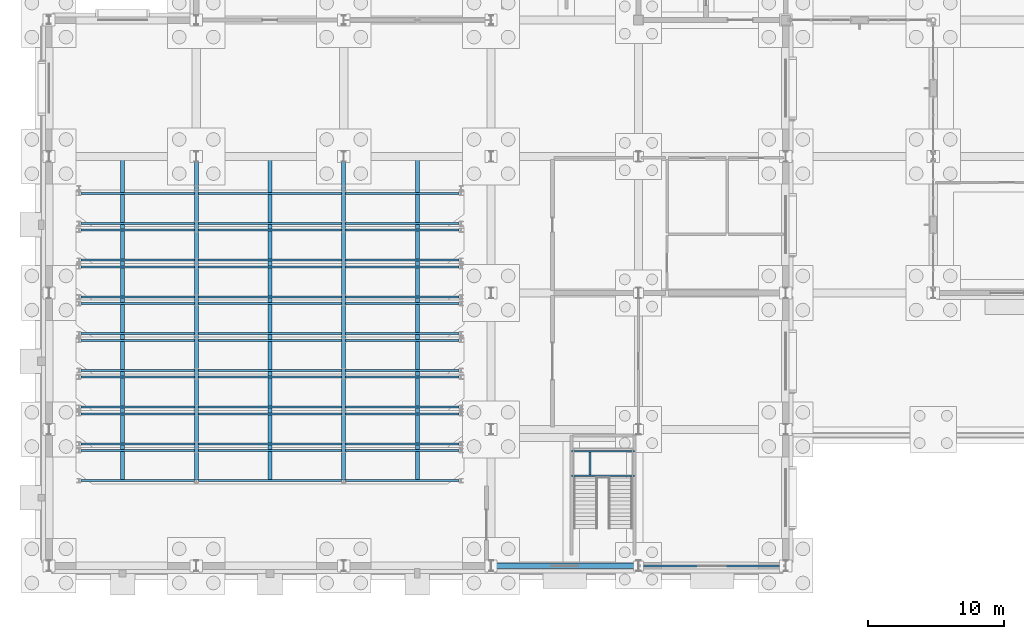
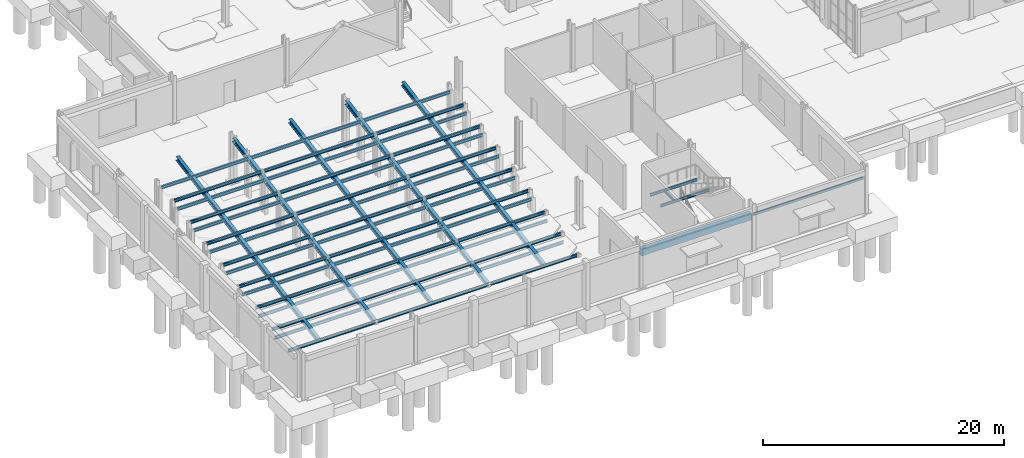
# One storey, part 24 of 73: 58 beams.
"""IFC4 building model written with IfcOpenShell, lengths in metres."""

from ifc_helpers import new_model, si_unit, direction, frame, origin, origin_2d, place, context, subcontext, project, spatial, rectangle, hollow_rectangle, i_section, extrude, material, material_profile, profile_set, type_object, element, save


model = new_model("IFC4")

# Units and contexts
model_context = context("Model", 3, precision=1e-05, world=origin(), true_north=direction((0.0, 1.0)))
body_context = subcontext(model_context, "Body", "Model", "MODEL_VIEW")
ifc_project = project(units=[si_unit("LENGTHUNIT", "METRE"), si_unit("AREAUNIT", "SQUARE_METRE"), si_unit("VOLUMEUNIT", "CUBIC_METRE"), si_unit("PLANEANGLEUNIT", "RADIAN"), si_unit("MASSUNIT", "GRAM", prefix="KILO")], contexts=[model_context])

# Site, building, storey
site_placement = place(None, origin())
site = spatial("IfcSite", under=ifc_project, at=site_placement, CompositionType="ELEMENT")
building_placement = place(site_placement, origin())
building = spatial("IfcBuilding", under=site, at=building_placement, Name="Tasgan Crest Museum", CompositionType="ELEMENT")
storey_placement = place(building_placement, origin())
storey = spatial("IfcBuildingStorey", under=building, at=storey_placement, Name="L00", CompositionType="ELEMENT", Elevation=0.0)

# Beams
ifc_material_1 = material(Name="Steel S355J2", Category="steel")
ifc_material_profile_1 = material_profile(ifc_material_1, i_section(OverallWidth=0.14990234375, OverallDepth=0.300048828125, WebThickness=0.007080078125, FlangeThickness=0.0107421875, FilletRadius=0.014892578125, at=origin_2d()), Name="IPE 300")
ifc_profile_set_1 = profile_set([ifc_material_profile_1], Name="Steel S355J2")
beam_type_1 = type_object("IfcBeamType", Name="BM-J-IPE300", PredefinedType="JOIST", material=ifc_profile_set_1)
beam_1_placement = place(storey_placement, frame((2.35009765625, 6.25, 0.169921875), z_axis=(1.0, 0.0, 0.0), x_axis=(0.0, 1.0, 0.0)))
element("IfcBeam", 1, at=beam_1_placement, inside=storey, type_object=beam_type_1, Name="Auditorium tier bearer T1 F 2.2-10.8", PredefinedType="JOIST", context=body_context, shape_type="SweptSolid", body=[
    extrude(i_section(OverallWidth=0.14990234375, OverallDepth=0.300048828125, WebThickness=0.007080078125, FlangeThickness=0.0107421875, FilletRadius=0.014892578125, at=origin_2d()), origin(), (0.0, 0.0, 1.0), 8.2998046875),
])
beam_2_placement = place(storey_placement, frame((10.949951171875, 6.25, 0.169921875), z_axis=(1.0, 0.0, 0.0), x_axis=(0.0, 1.0, 0.0)))
element("IfcBeam", 2, at=beam_2_placement, inside=storey, type_object=beam_type_1, Name="Auditorium tier bearer T1 F 10.8-21.6", PredefinedType="JOIST", context=body_context, shape_type="SweptSolid", body=[
    extrude(i_section(OverallWidth=0.14990234375, OverallDepth=0.300048828125, WebThickness=0.007080078125, FlangeThickness=0.0107421875, FilletRadius=0.014892578125, at=origin_2d()), origin(), (0.0, 0.0, 1.0), 10.5),
])
beam_3_placement = place(storey_placement, frame((21.75, 6.25, 0.169921875), z_axis=(1.0, 0.0, 0.0), x_axis=(0.0, 1.0, 0.0)))
element("IfcBeam", 3, at=beam_3_placement, inside=storey, type_object=beam_type_1, Name="Auditorium tier bearer T1 F 21.6-30.2", PredefinedType="JOIST", context=body_context, shape_type="SweptSolid", body=[
    extrude(i_section(OverallWidth=0.14990234375, OverallDepth=0.300048828125, WebThickness=0.007080078125, FlangeThickness=0.0107421875, FilletRadius=0.014892578125, at=origin_2d()), origin(), (0.0, 0.0, 1.0), 8.300048828125),
])
beam_4_placement = place(storey_placement, frame((2.35009765625, 8.44384765625, 0.169921875), z_axis=(1.0, 0.0, 0.0), x_axis=(0.0, 1.0, 0.0)))
element("IfcBeam", 4, at=beam_4_placement, inside=storey, type_object=beam_type_1, Name="Auditorium tier bearer T1 B 2.2-10.8", PredefinedType="JOIST", context=body_context, shape_type="SweptSolid", body=[
    extrude(i_section(OverallWidth=0.14990234375, OverallDepth=0.300048828125, WebThickness=0.007080078125, FlangeThickness=0.0107421875, FilletRadius=0.014892578125, at=origin_2d()), origin(), (0.0, 0.0, 1.0), 8.2998046875),
])
beam_5_placement = place(storey_placement, frame((10.949951171875, 8.44384765625, 0.169921875), z_axis=(1.0, 0.0, 0.0), x_axis=(0.0, 1.0, 0.0)))
element("IfcBeam", 5, at=beam_5_placement, inside=storey, type_object=beam_type_1, Name="Auditorium tier bearer T1 B 10.8-21.6", PredefinedType="JOIST", context=body_context, shape_type="SweptSolid", body=[
    extrude(i_section(OverallWidth=0.14990234375, OverallDepth=0.300048828125, WebThickness=0.007080078125, FlangeThickness=0.0107421875, FilletRadius=0.014892578125, at=origin_2d()), origin(), (0.0, 0.0, 1.0), 10.5),
])
beam_6_placement = place(storey_placement, frame((21.75, 8.44384765625, 0.169921875), z_axis=(1.0, 0.0, 0.0), x_axis=(0.0, 1.0, 0.0)))
element("IfcBeam", 6, at=beam_6_placement, inside=storey, type_object=beam_type_1, Name="Auditorium tier bearer T1 B 21.6-30.2", PredefinedType="JOIST", context=body_context, shape_type="SweptSolid", body=[
    extrude(i_section(OverallWidth=0.14990234375, OverallDepth=0.300048828125, WebThickness=0.007080078125, FlangeThickness=0.0107421875, FilletRadius=0.014892578125, at=origin_2d()), origin(), (0.0, 0.0, 1.0), 8.300048828125),
])
beam_7_placement = place(storey_placement, frame((2.35009765625, 8.94384765625, 0.7099609375), z_axis=(1.0, 0.0, 0.0), x_axis=(0.0, 1.0, 0.0)))
element("IfcBeam", 7, at=beam_7_placement, inside=storey, type_object=beam_type_1, Name="Auditorium tier bearer T2 F 2.2-10.8", PredefinedType="JOIST", context=body_context, shape_type="SweptSolid", body=[
    extrude(i_section(OverallWidth=0.14990234375, OverallDepth=0.300048828125, WebThickness=0.007080078125, FlangeThickness=0.0107421875, FilletRadius=0.014892578125, at=origin_2d()), origin(), (0.0, 0.0, 1.0), 8.2998046875),
])
beam_8_placement = place(storey_placement, frame((10.949951171875, 8.94384765625, 0.7099609375), z_axis=(1.0, 0.0, 0.0), x_axis=(0.0, 1.0, 0.0)))
element("IfcBeam", 8, at=beam_8_placement, inside=storey, type_object=beam_type_1, Name="Auditorium tier bearer T2 F 10.8-21.6", PredefinedType="JOIST", context=body_context, shape_type="SweptSolid", body=[
    extrude(i_section(OverallWidth=0.14990234375, OverallDepth=0.300048828125, WebThickness=0.007080078125, FlangeThickness=0.0107421875, FilletRadius=0.014892578125, at=origin_2d()), origin(), (0.0, 0.0, 1.0), 10.5),
])
beam_9_placement = place(storey_placement, frame((21.75, 8.94384765625, 0.7099609375), z_axis=(1.0, 0.0, 0.0), x_axis=(0.0, 1.0, 0.0)))
element("IfcBeam", 9, at=beam_9_placement, inside=storey, type_object=beam_type_1, Name="Auditorium tier bearer T2 F 21.6-30.2", PredefinedType="JOIST", context=body_context, shape_type="SweptSolid", body=[
    extrude(i_section(OverallWidth=0.14990234375, OverallDepth=0.300048828125, WebThickness=0.007080078125, FlangeThickness=0.0107421875, FilletRadius=0.014892578125, at=origin_2d()), origin(), (0.0, 0.0, 1.0), 8.300048828125),
])
beam_10_placement = place(storey_placement, frame((2.35009765625, 11.137451171875, 0.7099609375), z_axis=(1.0, 0.0, 0.0), x_axis=(0.0, 1.0, 0.0)))
element("IfcBeam", 10, at=beam_10_placement, inside=storey, type_object=beam_type_1, Name="Auditorium tier bearer T2 B 2.2-10.8", PredefinedType="JOIST", context=body_context, shape_type="SweptSolid", body=[
    extrude(i_section(OverallWidth=0.14990234375, OverallDepth=0.300048828125, WebThickness=0.007080078125, FlangeThickness=0.0107421875, FilletRadius=0.014892578125, at=origin_2d()), origin(), (0.0, 0.0, 1.0), 8.2998046875),
])
beam_11_placement = place(storey_placement, frame((10.949951171875, 11.137451171875, 0.7099609375), z_axis=(1.0, 0.0, 0.0), x_axis=(0.0, 1.0, 0.0)))
element("IfcBeam", 11, at=beam_11_placement, inside=storey, type_object=beam_type_1, Name="Auditorium tier bearer T2 B 10.8-21.6", PredefinedType="JOIST", context=body_context, shape_type="SweptSolid", body=[
    extrude(i_section(OverallWidth=0.14990234375, OverallDepth=0.300048828125, WebThickness=0.007080078125, FlangeThickness=0.0107421875, FilletRadius=0.014892578125, at=origin_2d()), origin(), (0.0, 0.0, 1.0), 10.5),
])
beam_12_placement = place(storey_placement, frame((21.75, 11.137451171875, 0.7099609375), z_axis=(1.0, 0.0, 0.0), x_axis=(0.0, 1.0, 0.0)))
element("IfcBeam", 12, at=beam_12_placement, inside=storey, type_object=beam_type_1, Name="Auditorium tier bearer T2 B 21.6-30.2", PredefinedType="JOIST", context=body_context, shape_type="SweptSolid", body=[
    extrude(i_section(OverallWidth=0.14990234375, OverallDepth=0.300048828125, WebThickness=0.007080078125, FlangeThickness=0.0107421875, FilletRadius=0.014892578125, at=origin_2d()), origin(), (0.0, 0.0, 1.0), 8.300048828125),
])
beam_13_placement = place(storey_placement, frame((2.35009765625, 11.637451171875, 1.25), z_axis=(1.0, 0.0, 0.0), x_axis=(0.0, 1.0, 0.0)))
element("IfcBeam", 13, at=beam_13_placement, inside=storey, type_object=beam_type_1, Name="Auditorium tier bearer T3 F 2.2-10.8", PredefinedType="JOIST", context=body_context, shape_type="SweptSolid", body=[
    extrude(i_section(OverallWidth=0.14990234375, OverallDepth=0.300048828125, WebThickness=0.007080078125, FlangeThickness=0.0107421875, FilletRadius=0.014892578125, at=origin_2d()), origin(), (0.0, 0.0, 1.0), 8.2998046875),
])
beam_14_placement = place(storey_placement, frame((10.949951171875, 11.637451171875, 1.25), z_axis=(1.0, 0.0, 0.0), x_axis=(0.0, 1.0, 0.0)))
element("IfcBeam", 14, at=beam_14_placement, inside=storey, type_object=beam_type_1, Name="Auditorium tier bearer T3 F 10.8-21.6", PredefinedType="JOIST", context=body_context, shape_type="SweptSolid", body=[
    extrude(i_section(OverallWidth=0.14990234375, OverallDepth=0.300048828125, WebThickness=0.007080078125, FlangeThickness=0.0107421875, FilletRadius=0.014892578125, at=origin_2d()), origin(), (0.0, 0.0, 1.0), 10.5),
])
beam_15_placement = place(storey_placement, frame((21.75, 11.637451171875, 1.25), z_axis=(1.0, 0.0, 0.0), x_axis=(0.0, 1.0, 0.0)))
element("IfcBeam", 15, at=beam_15_placement, inside=storey, type_object=beam_type_1, Name="Auditorium tier bearer T3 F 21.6-30.2", PredefinedType="JOIST", context=body_context, shape_type="SweptSolid", body=[
    extrude(i_section(OverallWidth=0.14990234375, OverallDepth=0.300048828125, WebThickness=0.007080078125, FlangeThickness=0.0107421875, FilletRadius=0.014892578125, at=origin_2d()), origin(), (0.0, 0.0, 1.0), 8.300048828125),
])
beam_16_placement = place(storey_placement, frame((2.35009765625, 13.831298828125, 1.25), z_axis=(1.0, 0.0, 0.0), x_axis=(0.0, 1.0, 0.0)))
element("IfcBeam", 16, at=beam_16_placement, inside=storey, type_object=beam_type_1, Name="Auditorium tier bearer T3 B 2.2-10.8", PredefinedType="JOIST", context=body_context, shape_type="SweptSolid", body=[
    extrude(i_section(OverallWidth=0.14990234375, OverallDepth=0.300048828125, WebThickness=0.007080078125, FlangeThickness=0.0107421875, FilletRadius=0.014892578125, at=origin_2d()), origin(), (0.0, 0.0, 1.0), 8.2998046875),
])
beam_17_placement = place(storey_placement, frame((10.949951171875, 13.831298828125, 1.25), z_axis=(1.0, 0.0, 0.0), x_axis=(0.0, 1.0, 0.0)))
element("IfcBeam", 17, at=beam_17_placement, inside=storey, type_object=beam_type_1, Name="Auditorium tier bearer T3 B 10.8-21.6", PredefinedType="JOIST", context=body_context, shape_type="SweptSolid", body=[
    extrude(i_section(OverallWidth=0.14990234375, OverallDepth=0.300048828125, WebThickness=0.007080078125, FlangeThickness=0.0107421875, FilletRadius=0.014892578125, at=origin_2d()), origin(), (0.0, 0.0, 1.0), 10.5),
])
beam_18_placement = place(storey_placement, frame((21.75, 13.831298828125, 1.25), z_axis=(1.0, 0.0, 0.0), x_axis=(0.0, 1.0, 0.0)))
element("IfcBeam", 18, at=beam_18_placement, inside=storey, type_object=beam_type_1, Name="Auditorium tier bearer T3 B 21.6-30.2", PredefinedType="JOIST", context=body_context, shape_type="SweptSolid", body=[
    extrude(i_section(OverallWidth=0.14990234375, OverallDepth=0.300048828125, WebThickness=0.007080078125, FlangeThickness=0.0107421875, FilletRadius=0.014892578125, at=origin_2d()), origin(), (0.0, 0.0, 1.0), 8.300048828125),
])
beam_19_placement = place(storey_placement, frame((2.35009765625, 14.331298828125, 1.7900390625), z_axis=(1.0, 0.0, 0.0), x_axis=(0.0, 1.0, 0.0)))
element("IfcBeam", 19, at=beam_19_placement, inside=storey, type_object=beam_type_1, Name="Auditorium tier bearer T4 F 2.2-10.8", PredefinedType="JOIST", context=body_context, shape_type="SweptSolid", body=[
    extrude(i_section(OverallWidth=0.14990234375, OverallDepth=0.300048828125, WebThickness=0.007080078125, FlangeThickness=0.0107421875, FilletRadius=0.014892578125, at=origin_2d()), origin(), (0.0, 0.0, 1.0), 8.2998046875),
])
beam_20_placement = place(storey_placement, frame((10.949951171875, 14.331298828125, 1.7900390625), z_axis=(1.0, 0.0, 0.0), x_axis=(0.0, 1.0, 0.0)))
element("IfcBeam", 20, at=beam_20_placement, inside=storey, type_object=beam_type_1, Name="Auditorium tier bearer T4 F 10.8-21.6", PredefinedType="JOIST", context=body_context, shape_type="SweptSolid", body=[
    extrude(i_section(OverallWidth=0.14990234375, OverallDepth=0.300048828125, WebThickness=0.007080078125, FlangeThickness=0.0107421875, FilletRadius=0.014892578125, at=origin_2d()), origin(), (0.0, 0.0, 1.0), 10.5),
])
beam_21_placement = place(storey_placement, frame((21.75, 14.331298828125, 1.7900390625), z_axis=(1.0, 0.0, 0.0), x_axis=(0.0, 1.0, 0.0)))
element("IfcBeam", 21, at=beam_21_placement, inside=storey, type_object=beam_type_1, Name="Auditorium tier bearer T4 F 21.6-30.2", PredefinedType="JOIST", context=body_context, shape_type="SweptSolid", body=[
    extrude(i_section(OverallWidth=0.14990234375, OverallDepth=0.300048828125, WebThickness=0.007080078125, FlangeThickness=0.0107421875, FilletRadius=0.014892578125, at=origin_2d()), origin(), (0.0, 0.0, 1.0), 8.300048828125),
])
beam_22_placement = place(storey_placement, frame((2.35009765625, 16.52490234375, 1.7900390625), z_axis=(1.0, 0.0, 0.0), x_axis=(0.0, 1.0, 0.0)))
element("IfcBeam", 22, at=beam_22_placement, inside=storey, type_object=beam_type_1, Name="Auditorium tier bearer T4 B 2.2-10.8", PredefinedType="JOIST", context=body_context, shape_type="SweptSolid", body=[
    extrude(i_section(OverallWidth=0.14990234375, OverallDepth=0.300048828125, WebThickness=0.007080078125, FlangeThickness=0.0107421875, FilletRadius=0.014892578125, at=origin_2d()), origin(), (0.0, 0.0, 1.0), 8.2998046875),
])
beam_23_placement = place(storey_placement, frame((10.949951171875, 16.52490234375, 1.7900390625), z_axis=(1.0, 0.0, 0.0), x_axis=(0.0, 1.0, 0.0)))
element("IfcBeam", 23, at=beam_23_placement, inside=storey, type_object=beam_type_1, Name="Auditorium tier bearer T4 B 10.8-21.6", PredefinedType="JOIST", context=body_context, shape_type="SweptSolid", body=[
    extrude(i_section(OverallWidth=0.14990234375, OverallDepth=0.300048828125, WebThickness=0.007080078125, FlangeThickness=0.0107421875, FilletRadius=0.014892578125, at=origin_2d()), origin(), (0.0, 0.0, 1.0), 10.5),
])
beam_24_placement = place(storey_placement, frame((21.75, 16.52490234375, 1.7900390625), z_axis=(1.0, 0.0, 0.0), x_axis=(0.0, 1.0, 0.0)))
element("IfcBeam", 24, at=beam_24_placement, inside=storey, type_object=beam_type_1, Name="Auditorium tier bearer T4 B 21.6-30.2", PredefinedType="JOIST", context=body_context, shape_type="SweptSolid", body=[
    extrude(i_section(OverallWidth=0.14990234375, OverallDepth=0.300048828125, WebThickness=0.007080078125, FlangeThickness=0.0107421875, FilletRadius=0.014892578125, at=origin_2d()), origin(), (0.0, 0.0, 1.0), 8.300048828125),
])
beam_25_placement = place(storey_placement, frame((2.35009765625, 17.02490234375, 2.330078125), z_axis=(1.0, 0.0, 0.0), x_axis=(0.0, 1.0, 0.0)))
element("IfcBeam", 25, at=beam_25_placement, inside=storey, type_object=beam_type_1, Name="Auditorium tier bearer T5 F 2.2-10.8", PredefinedType="JOIST", context=body_context, shape_type="SweptSolid", body=[
    extrude(i_section(OverallWidth=0.14990234375, OverallDepth=0.300048828125, WebThickness=0.007080078125, FlangeThickness=0.0107421875, FilletRadius=0.014892578125, at=origin_2d()), origin(), (0.0, 0.0, 1.0), 8.2998046875),
])
beam_26_placement = place(storey_placement, frame((10.949951171875, 17.02490234375, 2.330078125), z_axis=(1.0, 0.0, 0.0), x_axis=(0.0, 1.0, 0.0)))
element("IfcBeam", 26, at=beam_26_placement, inside=storey, type_object=beam_type_1, Name="Auditorium tier bearer T5 F 10.8-21.6", PredefinedType="JOIST", context=body_context, shape_type="SweptSolid", body=[
    extrude(i_section(OverallWidth=0.14990234375, OverallDepth=0.300048828125, WebThickness=0.007080078125, FlangeThickness=0.0107421875, FilletRadius=0.014892578125, at=origin_2d()), origin(), (0.0, 0.0, 1.0), 10.5),
])
beam_27_placement = place(storey_placement, frame((21.75, 17.02490234375, 2.330078125), z_axis=(1.0, 0.0, 0.0), x_axis=(0.0, 1.0, 0.0)))
element("IfcBeam", 27, at=beam_27_placement, inside=storey, type_object=beam_type_1, Name="Auditorium tier bearer T5 F 21.6-30.2", PredefinedType="JOIST", context=body_context, shape_type="SweptSolid", body=[
    extrude(i_section(OverallWidth=0.14990234375, OverallDepth=0.300048828125, WebThickness=0.007080078125, FlangeThickness=0.0107421875, FilletRadius=0.014892578125, at=origin_2d()), origin(), (0.0, 0.0, 1.0), 8.300048828125),
])
beam_28_placement = place(storey_placement, frame((2.35009765625, 19.21875, 2.330078125), z_axis=(1.0, 0.0, 0.0), x_axis=(0.0, 1.0, 0.0)))
element("IfcBeam", 28, at=beam_28_placement, inside=storey, type_object=beam_type_1, Name="Auditorium tier bearer T5 B 2.2-10.8", PredefinedType="JOIST", context=body_context, shape_type="SweptSolid", body=[
    extrude(i_section(OverallWidth=0.14990234375, OverallDepth=0.300048828125, WebThickness=0.007080078125, FlangeThickness=0.0107421875, FilletRadius=0.014892578125, at=origin_2d()), origin(), (0.0, 0.0, 1.0), 8.2998046875),
])
beam_29_placement = place(storey_placement, frame((10.949951171875, 19.21875, 2.330078125), z_axis=(1.0, 0.0, 0.0), x_axis=(0.0, 1.0, 0.0)))
element("IfcBeam", 29, at=beam_29_placement, inside=storey, type_object=beam_type_1, Name="Auditorium tier bearer T5 B 10.8-21.6", PredefinedType="JOIST", context=body_context, shape_type="SweptSolid", body=[
    extrude(i_section(OverallWidth=0.14990234375, OverallDepth=0.300048828125, WebThickness=0.007080078125, FlangeThickness=0.0107421875, FilletRadius=0.014892578125, at=origin_2d()), origin(), (0.0, 0.0, 1.0), 10.5),
])
beam_30_placement = place(storey_placement, frame((21.75, 19.21875, 2.330078125), z_axis=(1.0, 0.0, 0.0), x_axis=(0.0, 1.0, 0.0)))
element("IfcBeam", 30, at=beam_30_placement, inside=storey, type_object=beam_type_1, Name="Auditorium tier bearer T5 B 21.6-30.2", PredefinedType="JOIST", context=body_context, shape_type="SweptSolid", body=[
    extrude(i_section(OverallWidth=0.14990234375, OverallDepth=0.300048828125, WebThickness=0.007080078125, FlangeThickness=0.0107421875, FilletRadius=0.014892578125, at=origin_2d()), origin(), (0.0, 0.0, 1.0), 8.300048828125),
])
beam_31_placement = place(storey_placement, frame((2.35009765625, 19.71875, 2.8701171875), z_axis=(1.0, 0.0, 0.0), x_axis=(0.0, 1.0, 0.0)))
element("IfcBeam", 31, at=beam_31_placement, inside=storey, type_object=beam_type_1, Name="Auditorium tier bearer T6 F 2.2-10.8", PredefinedType="JOIST", context=body_context, shape_type="SweptSolid", body=[
    extrude(i_section(OverallWidth=0.14990234375, OverallDepth=0.300048828125, WebThickness=0.007080078125, FlangeThickness=0.0107421875, FilletRadius=0.014892578125, at=origin_2d()), origin(), (0.0, 0.0, 1.0), 8.2998046875),
])
beam_32_placement = place(storey_placement, frame((10.949951171875, 19.71875, 2.8701171875), z_axis=(1.0, 0.0, 0.0), x_axis=(0.0, 1.0, 0.0)))
element("IfcBeam", 32, at=beam_32_placement, inside=storey, type_object=beam_type_1, Name="Auditorium tier bearer T6 F 10.8-21.6", PredefinedType="JOIST", context=body_context, shape_type="SweptSolid", body=[
    extrude(i_section(OverallWidth=0.14990234375, OverallDepth=0.300048828125, WebThickness=0.007080078125, FlangeThickness=0.0107421875, FilletRadius=0.014892578125, at=origin_2d()), origin(), (0.0, 0.0, 1.0), 10.5),
])
beam_33_placement = place(storey_placement, frame((21.75, 19.71875, 2.8701171875), z_axis=(1.0, 0.0, 0.0), x_axis=(0.0, 1.0, 0.0)))
element("IfcBeam", 33, at=beam_33_placement, inside=storey, type_object=beam_type_1, Name="Auditorium tier bearer T6 F 21.6-30.2", PredefinedType="JOIST", context=body_context, shape_type="SweptSolid", body=[
    extrude(i_section(OverallWidth=0.14990234375, OverallDepth=0.300048828125, WebThickness=0.007080078125, FlangeThickness=0.0107421875, FilletRadius=0.014892578125, at=origin_2d()), origin(), (0.0, 0.0, 1.0), 8.300048828125),
])
beam_34_placement = place(storey_placement, frame((2.35009765625, 21.91259765625, 2.8701171875), z_axis=(1.0, 0.0, 0.0), x_axis=(0.0, 1.0, 0.0)))
element("IfcBeam", 34, at=beam_34_placement, inside=storey, type_object=beam_type_1, Name="Auditorium tier bearer T6 B 2.2-10.8", PredefinedType="JOIST", context=body_context, shape_type="SweptSolid", body=[
    extrude(i_section(OverallWidth=0.14990234375, OverallDepth=0.300048828125, WebThickness=0.007080078125, FlangeThickness=0.0107421875, FilletRadius=0.014892578125, at=origin_2d()), origin(), (0.0, 0.0, 1.0), 8.2998046875),
])
beam_35_placement = place(storey_placement, frame((10.949951171875, 21.91259765625, 2.8701171875), z_axis=(1.0, 0.0, 0.0), x_axis=(0.0, 1.0, 0.0)))
element("IfcBeam", 35, at=beam_35_placement, inside=storey, type_object=beam_type_1, Name="Auditorium tier bearer T6 B 10.8-21.6", PredefinedType="JOIST", context=body_context, shape_type="SweptSolid", body=[
    extrude(i_section(OverallWidth=0.14990234375, OverallDepth=0.300048828125, WebThickness=0.007080078125, FlangeThickness=0.0107421875, FilletRadius=0.014892578125, at=origin_2d()), origin(), (0.0, 0.0, 1.0), 10.5),
])
beam_36_placement = place(storey_placement, frame((21.75, 21.91259765625, 2.8701171875), z_axis=(1.0, 0.0, 0.0), x_axis=(0.0, 1.0, 0.0)))
element("IfcBeam", 36, at=beam_36_placement, inside=storey, type_object=beam_type_1, Name="Auditorium tier bearer T6 B 21.6-30.2", PredefinedType="JOIST", context=body_context, shape_type="SweptSolid", body=[
    extrude(i_section(OverallWidth=0.14990234375, OverallDepth=0.300048828125, WebThickness=0.007080078125, FlangeThickness=0.0107421875, FilletRadius=0.014892578125, at=origin_2d()), origin(), (0.0, 0.0, 1.0), 8.300048828125),
])
beam_37_placement = place(storey_placement, frame((2.35009765625, 22.41259765625, 3.409912109375), z_axis=(1.0, 0.0, 0.0), x_axis=(0.0, 1.0, 0.0)))
element("IfcBeam", 37, at=beam_37_placement, inside=storey, type_object=beam_type_1, Name="Auditorium tier bearer T7 F 2.2-10.8", PredefinedType="JOIST", context=body_context, shape_type="SweptSolid", body=[
    extrude(i_section(OverallWidth=0.14990234375, OverallDepth=0.300048828125, WebThickness=0.007080078125, FlangeThickness=0.0107421875, FilletRadius=0.014892578125, at=origin_2d()), origin(), (0.0, 0.0, 1.0), 8.2998046875),
])
beam_38_placement = place(storey_placement, frame((10.949951171875, 22.41259765625, 3.409912109375), z_axis=(1.0, 0.0, 0.0), x_axis=(0.0, 1.0, 0.0)))
element("IfcBeam", 38, at=beam_38_placement, inside=storey, type_object=beam_type_1, Name="Auditorium tier bearer T7 F 10.8-21.6", PredefinedType="JOIST", context=body_context, shape_type="SweptSolid", body=[
    extrude(i_section(OverallWidth=0.14990234375, OverallDepth=0.300048828125, WebThickness=0.007080078125, FlangeThickness=0.0107421875, FilletRadius=0.014892578125, at=origin_2d()), origin(), (0.0, 0.0, 1.0), 10.5),
])
beam_39_placement = place(storey_placement, frame((21.75, 22.41259765625, 3.409912109375), z_axis=(1.0, 0.0, 0.0), x_axis=(0.0, 1.0, 0.0)))
element("IfcBeam", 39, at=beam_39_placement, inside=storey, type_object=beam_type_1, Name="Auditorium tier bearer T7 F 21.6-30.2", PredefinedType="JOIST", context=body_context, shape_type="SweptSolid", body=[
    extrude(i_section(OverallWidth=0.14990234375, OverallDepth=0.300048828125, WebThickness=0.007080078125, FlangeThickness=0.0107421875, FilletRadius=0.014892578125, at=origin_2d()), origin(), (0.0, 0.0, 1.0), 8.300048828125),
])
beam_40_placement = place(storey_placement, frame((2.35009765625, 24.606201171875, 3.409912109375), z_axis=(1.0, 0.0, 0.0), x_axis=(0.0, 1.0, 0.0)))
element("IfcBeam", 40, at=beam_40_placement, inside=storey, type_object=beam_type_1, Name="Auditorium tier bearer T7 B 2.2-10.8", PredefinedType="JOIST", context=body_context, shape_type="SweptSolid", body=[
    extrude(i_section(OverallWidth=0.14990234375, OverallDepth=0.300048828125, WebThickness=0.007080078125, FlangeThickness=0.0107421875, FilletRadius=0.014892578125, at=origin_2d()), origin(), (0.0, 0.0, 1.0), 8.2998046875),
])
beam_41_placement = place(storey_placement, frame((10.949951171875, 24.606201171875, 3.409912109375), z_axis=(1.0, 0.0, 0.0), x_axis=(0.0, 1.0, 0.0)))
element("IfcBeam", 41, at=beam_41_placement, inside=storey, type_object=beam_type_1, Name="Auditorium tier bearer T7 B 10.8-21.6", PredefinedType="JOIST", context=body_context, shape_type="SweptSolid", body=[
    extrude(i_section(OverallWidth=0.14990234375, OverallDepth=0.300048828125, WebThickness=0.007080078125, FlangeThickness=0.0107421875, FilletRadius=0.014892578125, at=origin_2d()), origin(), (0.0, 0.0, 1.0), 10.5),
])
beam_42_placement = place(storey_placement, frame((21.75, 24.606201171875, 3.409912109375), z_axis=(1.0, 0.0, 0.0), x_axis=(0.0, 1.0, 0.0)))
element("IfcBeam", 42, at=beam_42_placement, inside=storey, type_object=beam_type_1, Name="Auditorium tier bearer T7 B 21.6-30.2", PredefinedType="JOIST", context=body_context, shape_type="SweptSolid", body=[
    extrude(i_section(OverallWidth=0.14990234375, OverallDepth=0.300048828125, WebThickness=0.007080078125, FlangeThickness=0.0107421875, FilletRadius=0.014892578125, at=origin_2d()), origin(), (0.0, 0.0, 1.0), 8.300048828125),
])
beam_43_placement = place(storey_placement, frame((2.35009765625, 25.106201171875, 3.949951171875), z_axis=(1.0, 0.0, 0.0), x_axis=(0.0, 1.0, 0.0)))
element("IfcBeam", 43, at=beam_43_placement, inside=storey, type_object=beam_type_1, Name="Auditorium tier bearer T8 F 2.2-10.8", PredefinedType="JOIST", context=body_context, shape_type="SweptSolid", body=[
    extrude(i_section(OverallWidth=0.14990234375, OverallDepth=0.300048828125, WebThickness=0.007080078125, FlangeThickness=0.0107421875, FilletRadius=0.014892578125, at=origin_2d()), origin(), (0.0, 0.0, 1.0), 8.2998046875),
])
beam_44_placement = place(storey_placement, frame((10.949951171875, 25.106201171875, 3.949951171875), z_axis=(1.0, 0.0, 0.0), x_axis=(0.0, 1.0, 0.0)))
element("IfcBeam", 44, at=beam_44_placement, inside=storey, type_object=beam_type_1, Name="Auditorium tier bearer T8 F 10.8-21.6", PredefinedType="JOIST", context=body_context, shape_type="SweptSolid", body=[
    extrude(i_section(OverallWidth=0.14990234375, OverallDepth=0.300048828125, WebThickness=0.007080078125, FlangeThickness=0.0107421875, FilletRadius=0.014892578125, at=origin_2d()), origin(), (0.0, 0.0, 1.0), 10.5),
])
beam_45_placement = place(storey_placement, frame((21.75, 25.106201171875, 3.949951171875), z_axis=(1.0, 0.0, 0.0), x_axis=(0.0, 1.0, 0.0)))
element("IfcBeam", 45, at=beam_45_placement, inside=storey, type_object=beam_type_1, Name="Auditorium tier bearer T8 F 21.6-30.2", PredefinedType="JOIST", context=body_context, shape_type="SweptSolid", body=[
    extrude(i_section(OverallWidth=0.14990234375, OverallDepth=0.300048828125, WebThickness=0.007080078125, FlangeThickness=0.0107421875, FilletRadius=0.014892578125, at=origin_2d()), origin(), (0.0, 0.0, 1.0), 8.300048828125),
])
beam_46_placement = place(storey_placement, frame((2.35009765625, 27.300048828125, 3.949951171875), z_axis=(1.0, 0.0, 0.0), x_axis=(0.0, 1.0, 0.0)))
element("IfcBeam", 46, at=beam_46_placement, inside=storey, type_object=beam_type_1, Name="Auditorium tier bearer T8 B 2.2-10.8", PredefinedType="JOIST", context=body_context, shape_type="SweptSolid", body=[
    extrude(i_section(OverallWidth=0.14990234375, OverallDepth=0.300048828125, WebThickness=0.007080078125, FlangeThickness=0.0107421875, FilletRadius=0.014892578125, at=origin_2d()), origin(), (0.0, 0.0, 1.0), 8.2998046875),
])
beam_47_placement = place(storey_placement, frame((10.949951171875, 27.300048828125, 3.949951171875), z_axis=(1.0, 0.0, 0.0), x_axis=(0.0, 1.0, 0.0)))
element("IfcBeam", 47, at=beam_47_placement, inside=storey, type_object=beam_type_1, Name="Auditorium tier bearer T8 B 10.8-21.6", PredefinedType="JOIST", context=body_context, shape_type="SweptSolid", body=[
    extrude(i_section(OverallWidth=0.14990234375, OverallDepth=0.300048828125, WebThickness=0.007080078125, FlangeThickness=0.0107421875, FilletRadius=0.014892578125, at=origin_2d()), origin(), (0.0, 0.0, 1.0), 10.5),
])
beam_48_placement = place(storey_placement, frame((21.75, 27.300048828125, 3.949951171875), z_axis=(1.0, 0.0, 0.0), x_axis=(0.0, 1.0, 0.0)))
element("IfcBeam", 48, at=beam_48_placement, inside=storey, type_object=beam_type_1, Name="Auditorium tier bearer T8 B 21.6-30.2", PredefinedType="JOIST", context=body_context, shape_type="SweptSolid", body=[
    extrude(i_section(OverallWidth=0.14990234375, OverallDepth=0.300048828125, WebThickness=0.007080078125, FlangeThickness=0.0107421875, FilletRadius=0.014892578125, at=origin_2d()), origin(), (0.0, 0.0, 1.0), 8.300048828125),
])
ifc_material_2 = material(Name="Steel S355J2", Category="steel")
ifc_material_profile_2 = material_profile(ifc_material_2, i_section(OverallWidth=0.1201171875, OverallDepth=0.239990234375, WebThickness=0.006103515625, FlangeThickness=0.009765625, FilletRadius=0.014892578125, at=origin_2d()), Name="IPE 240")
ifc_profile_set_2 = profile_set([ifc_material_profile_2], Name="Steel S355J2")
beam_type_2 = type_object("IfcBeamType", Name="BM-LAND-IPE240", PredefinedType="BEAM", material=ifc_profile_set_2)
beam_49_placement = place(storey_placement, frame((39.64990234375, 6.6650390625, 2.080078125), z_axis=(0.0, 1.0, 0.0), x_axis=(-1.0, 0.0, 0.0)))
element("IfcBeam", 49, at=beam_49_placement, inside=storey, type_object=beam_type_2, Name="Stair half-landing crossbeam ST-FS-L00 T1", PredefinedType="BEAM", context=body_context, shape_type="SweptSolid", body=[
    extrude(i_section(OverallWidth=0.1201171875, OverallDepth=0.239990234375, WebThickness=0.006103515625, FlangeThickness=0.009765625, FilletRadius=0.014892578125, at=origin_2d()), origin(), (0.0, 0.0, 1.0), 1.679931640625),
])
ifc_material_3 = material(Name="Steel S355J2", Category="steel")
ifc_material_profile_3 = material_profile(ifc_material_3, i_section(OverallWidth=0.135009765625, OverallDepth=0.27001953125, WebThickness=0.006591796875, FlangeThickness=0.01025390625, FilletRadius=0.014892578125, at=origin_2d()), Name="IPE 270")
ifc_profile_set_3 = profile_set([ifc_material_profile_3], Name="Steel S355J2")
beam_type_3 = type_object("IfcBeamType", Name="BM-LAND-IPE270", PredefinedType="BEAM", material=ifc_profile_set_3)
for number, where, z_axis, x_axis, name in (
    (50, (38.280029296875, 6.60498046875, 2.06494140625), (1.0, 0.0, 0.0), (0.0, 1.0, 0.0), "Stair half-landing beam ST-FS-L00 T1F"),
    (51, (38.280029296875, 8.405029296875, 2.06494140625), (1.0, 0.0, 0.0), (0.0, 1.0, 0.0), "Stair half-landing beam ST-FS-L00 T1B"),
):
    element("IfcBeam", number, at=place(storey_placement, frame(where, z_axis=z_axis, x_axis=x_axis)), inside=storey, type_object=beam_type_3, Name=name, PredefinedType="BEAM", context=body_context, shape_type="SweptSolid", body=[
        extrude(i_section(OverallWidth=0.135009765625, OverallDepth=0.27001953125, WebThickness=0.006591796875, FlangeThickness=0.01025390625, FilletRadius=0.014892578125, at=origin_2d()), origin(), (0.0, 0.0, 1.0), 4.639892578125),
    ])
ifc_material_4 = material(Name="Precast concrete C40/50", Category="concrete")
ifc_material_profile_4 = material_profile(ifc_material_4, rectangle(XDim=0.39990234375, YDim=0.699951171875, at=origin_2d()), Name="RC 400x700")
ifc_profile_set_4 = profile_set([ifc_material_profile_4], Name="Precast concrete C40/50")
beam_type_4 = type_object("IfcBeamType", Name="BM-LINTEL-1", PredefinedType="LINTEL", material=ifc_profile_set_4)
beam_50_placement = place(storey_placement, frame((32.544921875, 0.0, 3.449951171875), z_axis=(1.0, 0.0, 0.0), x_axis=(0.0, 1.0, 0.0)))
element("IfcBeam", 52, at=beam_50_placement, inside=storey, type_object=beam_type_4, Name="Portal lintel beam 03", PredefinedType="LINTEL", context=body_context, shape_type="SweptSolid", body=[
    extrude(rectangle(XDim=0.39990234375, YDim=0.699951171875, at=origin_2d()), origin(), (0.0, 0.0, 1.0), 10.510009765625),
])
ifc_material_5 = material(Name="Steel S355K2", Category="steel")
ifc_material_profile_5 = material_profile(ifc_material_5, hollow_rectangle(XDim=0.14990234375, YDim=0.25, WallThickness=0.010009765625, InnerFilletRadius=0.010009765625, OuterFilletRadius=0.02001953125, at=origin_2d()), Name="RHS 250x150x10")
ifc_profile_set_5 = profile_set([ifc_material_profile_5], Name="Steel S355K2")
beam_type_5 = type_object("IfcBeamType", Name="BM-LINTEL-3", PredefinedType="LINTEL", material=ifc_profile_set_5)
beam_51_placement = place(storey_placement, frame((43.344970703125, 0.0, 3.449951171875), z_axis=(1.0, 0.0, 0.0), x_axis=(0.0, 1.0, 0.0)))
element("IfcBeam", 53, at=beam_51_placement, inside=storey, type_object=beam_type_5, Name="Portal lintel beam 04", PredefinedType="LINTEL", context=body_context, shape_type="SweptSolid", body=[
    extrude(hollow_rectangle(XDim=0.14990234375, YDim=0.25, WallThickness=0.010009765625, InnerFilletRadius=0.010009765625, OuterFilletRadius=0.02001953125, at=origin_2d()), origin(), (0.0, 0.0, 1.0), 10.510009765625),
])
ifc_material_6 = material(Name="Steel S355J2", Category="steel")
ifc_material_profile_6 = material_profile(ifc_material_6, i_section(OverallWidth=0.300048828125, OverallDepth=0.43994140625, WebThickness=0.011474609375, FlangeThickness=0.02099609375, FilletRadius=0.027099609375, at=origin_2d()), Name="HEA 450")
ifc_profile_set_6 = profile_set([ifc_material_profile_6], Name="Steel S355J2")
beam_type_6 = type_object("IfcBeamType", Name="BM-RAKER-HEA450", PredefinedType="BEAM", material=ifc_profile_set_6)
for number, where, z_axis, x_axis, name in (
    (54, (5.39990234375, 6.35009765625, 0.080078125), (0.0, 0.983963493674, 0.178369961365), (-1.0, 0.0, 0.0), "Auditorium raker beam X=5.4"),
    (55, (10.800048828125, 6.35009765625, 0.080078125), (0.0, 0.983963493674, 0.178369961365), (-1.0, 0.0, 0.0), "Auditorium raker beam X=10.8"),
    (56, (16.199951171875, 6.35009765625, 0.080078125), (0.0, 0.983963493674, 0.178369961365), (-1.0, 0.0, 0.0), "Auditorium raker beam X=16.2"),
    (57, (21.60009765625, 6.35009765625, 0.080078125), (0.0, 0.983963493674, 0.178369961365), (-1.0, 0.0, 0.0), "Auditorium raker beam X=21.6"),
    (58, (27.0, 6.35009765625, 0.080078125), (0.0, 0.983963493674, 0.178369961365), (-1.0, 0.0, 0.0), "Auditorium raker beam X=27.0"),
):
    element("IfcBeam", number, at=place(storey_placement, frame(where, z_axis=z_axis, x_axis=x_axis)), inside=storey, type_object=beam_type_6, Name=name, PredefinedType="BEAM", context=body_context, shape_type="SweptSolid", body=[
        extrude(i_section(OverallWidth=0.300048828125, OverallDepth=0.43994140625, WebThickness=0.011474609375, FlangeThickness=0.02099609375, FilletRadius=0.027099609375, at=origin_2d()), origin(), (0.0, 0.0, 1.0), 23.883056640625),
    ])

save(model, "model.ifc")
